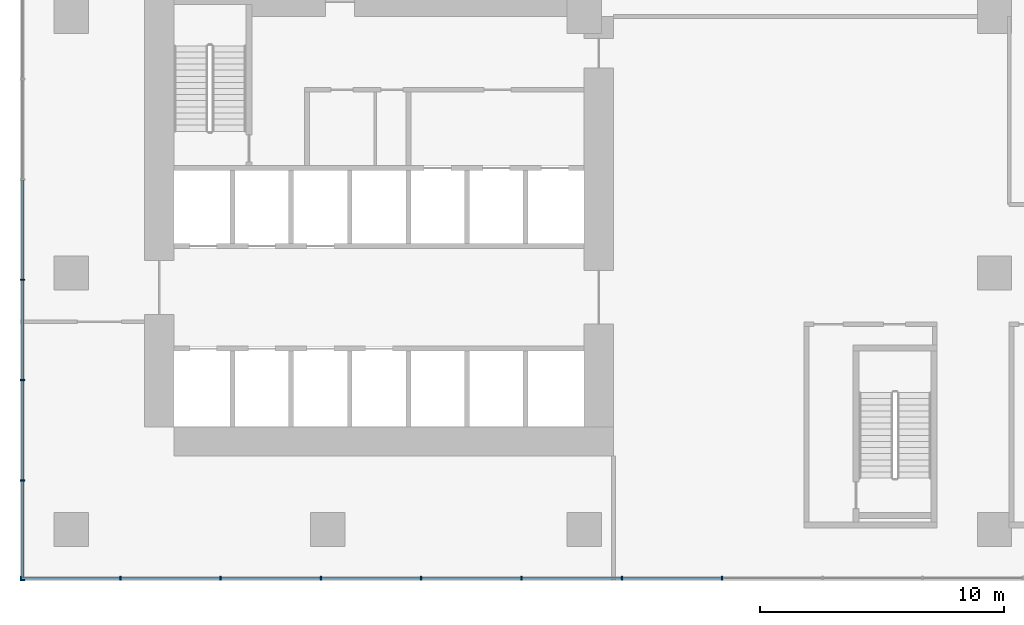
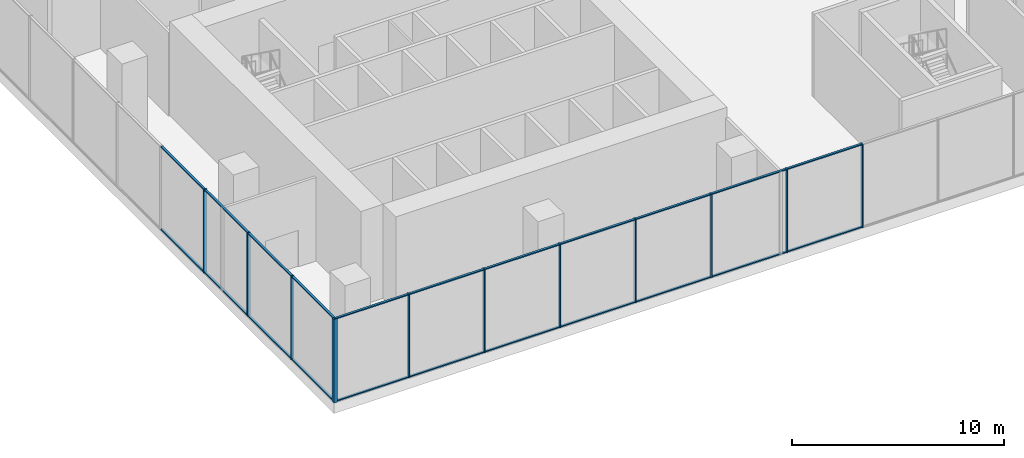
# One storey, part 2 of 23: 34 members, 2 elements without a shape of their own.
"""IFC4 building model written with IfcOpenShell, lengths in metres."""

import ifcopenshell
import ifcopenshell.guid

model = None  # the IFC model being written
_history = None  # IfcOwnerHistory: only IFC2X3 demands one
_inside = {}  # id of a spatial element -> (the spatial element, [elements in it])
_under = {}  # id of a project, library or spatial element -> (it, [spatial elements below it])
_declared = {}  # id of a project -> (the project, [libraries it declares])
_typed = {}  # id of a type object -> (the type object, [elements of that type])
_made_of = {}  # id of a material, layer set ... -> (it, [elements and type objects made of it])


def new_model(schema):
    """Start an empty IFC model of exactly this schema.

    Asked for "IFC4X3", IfcOpenShell would pick the latest addendum, in which some entities
    have other attributes; the version numbers below select the first issue.
    IFC2X3 requires an IfcOwnerHistory on every rooted entity: one is made here for all.
    """
    global model, _history
    if schema == "IFC4X3":
        model = ifcopenshell.file(schema_version=(4, 3, 0, 0))
    else:
        model = ifcopenshell.file(schema=schema)
    _inside.clear()
    _under.clear()
    _declared.clear()
    _typed.clear()
    _made_of.clear()
    _history = None
    if model.schema == "IFC2X3":
        org = make("IfcOrganization", Name="unknown")
        user = make(
            "IfcPersonAndOrganization",
            ThePerson=make("IfcPerson", FamilyName="unknown"),
            TheOrganization=org,
        )
        app = make(
            "IfcApplication",
            ApplicationDeveloper=org,
            Version="unknown",
            ApplicationFullName="unknown",
            ApplicationIdentifier="unknown",
        )
        _history = make(
            "IfcOwnerHistory",
            OwningUser=user,
            OwningApplication=app,
            ChangeAction="ADDED",
            CreationDate=0,
        )
    return model


def make(cls, **values):
    """One entity of the class cls with the attributes given. An attribute that is None is left unset."""
    return model.create_entity(
        cls, **{name: value for name, value in values.items() if value is not None}
    )


def rooted(cls, **values):
    """An entity with a GlobalId (a new one), such as an element, a storey or a relation."""
    return make(cls, GlobalId=ifcopenshell.guid.new(), OwnerHistory=_history, **values)


def si_unit(unit_type, name, prefix=None):
    """IfcSIUnit, for example si_unit("LENGTHUNIT", "METRE", prefix="MILLI")."""
    return make("IfcSIUnit", UnitType=unit_type, Prefix=prefix, Name=name)


def assignment(units):
    """IfcUnitAssignment: the units of a project."""
    return None if units is None else make("IfcUnitAssignment", Units=units)


def point(xyz):
    """IfcCartesianPoint."""
    return None if xyz is None else make("IfcCartesianPoint", Coordinates=xyz)


def direction(xyz):
    """IfcDirection."""
    return None if xyz is None else make("IfcDirection", DirectionRatios=xyz)


def frame(location, z_axis=None, x_axis=None):
    """IfcAxis2Placement3D, a coordinate frame: its origin and axes. An axis left out is left unset."""
    return make(
        "IfcAxis2Placement3D",
        Location=point(location),
        Axis=direction(z_axis),
        RefDirection=direction(x_axis),
    )


def frame_2d(location, x_axis=None):
    """IfcAxis2Placement2D, a coordinate frame in the plane: its origin and x axis."""
    return make(
        "IfcAxis2Placement2D", Location=point(location), RefDirection=direction(x_axis)
    )


def origin():
    """The frame at (0, 0, 0) with its axes left unset."""
    return frame((0.0, 0.0, 0.0))


def origin_2d():
    """The frame at (0, 0) in the plane with its x axis left unset."""
    return frame_2d((0.0, 0.0))


def place(relative_to, where):
    """IfcLocalPlacement: puts the frame where relative to a parent placement (None: the world)."""
    return make(
        "IfcLocalPlacement", PlacementRelTo=relative_to, RelativePlacement=where
    )


def context(
    kind, dimensions, precision=None, world=None, true_north=None, identifier=None
):
    """IfcGeometricRepresentationContext, for example the 3D "Model" context."""
    return make(
        "IfcGeometricRepresentationContext",
        ContextIdentifier=identifier,
        ContextType=kind,
        CoordinateSpaceDimension=dimensions,
        Precision=precision,
        WorldCoordinateSystem=world,
        TrueNorth=true_north,
    )


def subcontext(parent, identifier, kind, view, scale=None):
    """IfcGeometricRepresentationSubContext, for example "Body" below "Model"."""
    return make(
        "IfcGeometricRepresentationSubContext",
        ContextIdentifier=identifier,
        ContextType=kind,
        ParentContext=parent,
        TargetScale=scale,
        TargetView=view,
    )


def project(units=None, contexts=None):
    """IfcProject with its units and contexts."""
    return rooted(
        "IfcProject",
        Name="project",
        RepresentationContexts=contexts,
        UnitsInContext=assignment(units),
    )


def spatial(cls, under=None, at=None, **own):
    """A site, building, storey or space (cls), placed at a placement, below another one or the project."""
    s = rooted(cls, ObjectPlacement=at, **own)
    if under is not None:
        _under.setdefault(under.id(), (under, []))[1].append(s)
    return s


def profile(cls, at=None, kind="AREA", **sizes):
    """A parametric profile (cls). Its sizes go by their IFC names, for example OverallWidth=200.0."""
    return make(cls, ProfileType=kind, Position=at, **sizes)


def rectangle(**sizes):
    """IfcRectangleProfileDef."""
    return profile("IfcRectangleProfileDef", **sizes)


def extrude(swept, where, along, depth):
    """IfcExtrudedAreaSolid: the profile swept, set in the frame where, extruded along a direction by depth."""
    return make(
        "IfcExtrudedAreaSolid",
        SweptArea=swept,
        Position=where,
        ExtrudedDirection=direction(along),
        Depth=depth,
    )


def shape(context_of_items, identifier, shape_type, items):
    """IfcShapeRepresentation: the items that make up one representation, for example the "Body"."""
    return make(
        "IfcShapeRepresentation",
        ContextOfItems=context_of_items,
        RepresentationIdentifier=identifier,
        RepresentationType=shape_type,
        Items=items,
    )


def source(mapping_origin, context_of_items, identifier, shape_type, items):
    """IfcRepresentationMap: a shape defined once, which mapped items show again and again."""
    return make(
        "IfcRepresentationMap",
        MappingOrigin=mapping_origin,
        MappedRepresentation=shape(context_of_items, identifier, shape_type, items),
    )


def transform(
    local_origin,
    x_axis=None,
    y_axis=None,
    z_axis=None,
    scale=None,
    scale2=None,
    scale3=None,
    uniform=True,
):
    """IfcCartesianTransformationOperator3D, or its non-uniform kind. x_axis, y_axis, z_axis: its Axis1, 2, 3."""
    if uniform:
        return make(
            "IfcCartesianTransformationOperator3D",
            Axis1=direction(x_axis),
            Axis2=direction(y_axis),
            LocalOrigin=point(local_origin),
            Scale=scale,
            Axis3=direction(z_axis),
        )
    return make(
        "IfcCartesianTransformationOperator3DnonUniform",
        Axis1=direction(x_axis),
        Axis2=direction(y_axis),
        LocalOrigin=point(local_origin),
        Scale=scale,
        Axis3=direction(z_axis),
        Scale2=scale2,
        Scale3=scale3,
    )


def mapped(mapping_source, mapping_target):
    """IfcMappedItem: shows the shape of a source again, moved by a transform."""
    return make(
        "IfcMappedItem", MappingSource=mapping_source, MappingTarget=mapping_target
    )


def material(Name=None, Category=None):
    """IfcMaterial."""
    return make("IfcMaterial", Name=Name, Category=Category)


def layer(
    of_material, thickness, ventilated=None, Name=None, Category=None, Priority=None
):
    """IfcMaterialLayer: one layer of a wall or slab, of a material (None: an air gap)."""
    return make(
        "IfcMaterialLayer",
        Material=of_material,
        LayerThickness=thickness,
        IsVentilated=ventilated,
        Name=Name,
        Category=Category,
        Priority=Priority,
    )


def layer_set(layers, Name=None):
    """IfcMaterialLayerSet."""
    return make("IfcMaterialLayerSet", MaterialLayers=layers, LayerSetName=Name)


def material_profile(
    of_material, cross_section, Name=None, Category=None, Priority=None
):
    """IfcMaterialProfile: a cross section and its material."""
    return make(
        "IfcMaterialProfile",
        Name=Name,
        Material=of_material,
        Profile=cross_section,
        Priority=Priority,
        Category=Category,
    )


def profile_set(profiles, Name=None, composite=None):
    """IfcMaterialProfileSet."""
    return make(
        "IfcMaterialProfileSet",
        Name=Name,
        MaterialProfiles=profiles,
        CompositeProfile=composite,
    )


def made_of(thing, what):
    """Note that an element or type object is made of a material, layer set ...; save() writes the relation."""
    if what is not None:
        _made_of.setdefault(what.id(), (what, []))[1].append(thing)
    return thing


def type_object(cls, material=None, **own):
    """A type object (cls), such as IfcWallType, which elements share."""
    return made_of(rooted(cls, **own), material)


def element(
    cls,
    number,
    at=None,
    inside=None,
    cuts=None,
    type_object=None,
    material=None,
    context=None,
    identifier="Body",
    shape_type=None,
    held_by="IfcProductDefinitionShape",
    body=None,
    shapes=None,
    **own,
):
    """One element of the class cls, such as IfcWall. Its Tag is "e" and its number.

    at: its placement. inside: the storey or other place that contains it. cuts: it is an
    opening in that element (IfcRelVoidsElement). A single representation is given by context,
    identifier, shape_type and body (its items); several are given by shapes. held_by: the class
    of the entity that holds the representations. save() writes the other relations.
    """
    e = rooted(cls, Tag="e%d" % number, ObjectPlacement=at, **own)
    if body is not None:
        shapes = [shape(context, identifier, shape_type, body)]
    if shapes is not None:
        e.Representation = make(held_by, Representations=shapes)
    if inside is not None:
        _inside.setdefault(inside.id(), (inside, []))[1].append(e)
    if cuts is not None:
        rooted(
            "IfcRelVoidsElement", RelatingBuildingElement=cuts, RelatedOpeningElement=e
        )
    if type_object is not None:
        _typed.setdefault(type_object.id(), (type_object, []))[1].append(e)
    return made_of(e, material)


def aggregate(whole, parts):
    """IfcRelAggregates: a whole, such as a stair, and the parts it consists of."""
    return rooted("IfcRelAggregates", RelatingObject=whole, RelatedObjects=parts)


def save(model, path):
    """Write the relations noted so far, then the file.

    IfcRelAggregates (storeys below a building ...), IfcRelContainedInSpatialStructure (elements
    in a storey), IfcRelDefinesByType, IfcRelAssociatesMaterial and IfcRelDeclares: one each for
    every whole, place, type object, material and project.
    """
    for whole, parts in _under.values():
        aggregate(whole, parts)
    for where, things in _inside.values():
        rooted(
            "IfcRelContainedInSpatialStructure",
            RelatedElements=things,
            RelatingStructure=where,
        )
    for kind, things in _typed.values():
        rooted("IfcRelDefinesByType", RelatedObjects=things, RelatingType=kind)
    for what, things in _made_of.values():
        rooted("IfcRelAssociatesMaterial", RelatedObjects=things, RelatingMaterial=what)
    for by, libraries in _declared.values():
        rooted("IfcRelDeclares", RelatingContext=by, RelatedDefinitions=libraries)
    model.write(path)


model = new_model("IFC4")

# Units and contexts
model_context = context("Model", 3, precision=1e-05, world=origin(), true_north=direction((0.0, 1.0)))
body_context = subcontext(model_context, "Body", "Model", "MODEL_VIEW")
ifc_project = project(units=[si_unit("LENGTHUNIT", "METRE"), si_unit("AREAUNIT", "SQUARE_METRE"), si_unit("VOLUMEUNIT", "CUBIC_METRE"), si_unit("PLANEANGLEUNIT", "RADIAN"), si_unit("MASSUNIT", "GRAM", prefix="KILO")], contexts=[model_context])

# Site, building, storey
site_placement = place(None, origin())
site = spatial("IfcSite", under=ifc_project, at=site_placement, CompositionType="ELEMENT")
building_placement = place(site_placement, origin())
building = spatial("IfcBuilding", under=site, at=building_placement, Name="Aurelian Terraces", CompositionType="ELEMENT")
storey_placement = place(building_placement, frame((0.0, 0.0, 18.3)))
storey = spatial("IfcBuildingStorey", under=building, at=storey_placement, Name="L03", CompositionType="ELEMENT", Elevation=18.3)

# Curtain wall, members
ifc_material_1 = material(Name="Anodised aluminium and clear glazing", Category="aluminium")
ifc_layer = layer(ifc_material_1, 0.2)
ifc_layer_set = layer_set([ifc_layer], Name="Winter garden glazing curtain wall")
curtain_wall_type = type_object("IfcCurtainWallType", Name="Winter garden glazing curtain wall", PredefinedType="NOTDEFINED", material=ifc_layer_set)
curtain_wall_1_placement = place(storey_placement, origin())
curtain_wall_1 = element("IfcCurtainWall", 1, at=curtain_wall_1_placement, inside=storey, type_object=curtain_wall_type, Name="Winter garden glazing L03 F01.1", PredefinedType="NOTDEFINED")
ifc_material_2 = material(Name="Anodised aluminium", Category="aluminium")
ifc_material_profile_1 = material_profile(ifc_material_2, rectangle(XDim=0.18, YDim=0.06, at=origin_2d()))
ifc_profile_set_1 = profile_set([ifc_material_profile_1], Name="Anodised aluminium")
member_type_1 = type_object("IfcMemberType", Name="Winter garden glazing mullion", PredefinedType="MULLION", material=ifc_profile_set_1)
shared_shape_1 = source(origin(), body_context, "Body", "SweptSolid", [
    extrude(rectangle(XDim=0.18, YDim=0.06, at=origin_2d()), origin(), (0.0, 0.0, 1.0), 4.8),
])
member_1_placement = place(storey_placement, frame((-2.07, -2.0, 0.0), z_axis=(0.0, 0.0, 1.0), x_axis=(0.0, 1.0, 0.0)))
member_1 = element("IfcMember", 2, at=member_1_placement, type_object=member_type_1, Name="CW6 mullion 1", PredefinedType="MULLION", context=body_context, shape_type="MappedRepresentation", body=[
    mapped(shared_shape_1, transform((0.0, 0.0, 0.0), scale=1.0)),
])
member_2_placement = place(storey_placement, frame((2.0067, -2.0, 0.0), z_axis=(0.0, 0.0, 1.0), x_axis=(0.0, 1.0, 0.0)))
member_2 = element("IfcMember", 3, at=member_2_placement, type_object=member_type_1, Name="CW6 mullion 2", PredefinedType="MULLION", context=body_context, shape_type="MappedRepresentation", body=[
    mapped(shared_shape_1, transform((0.0, 0.0, 0.0), scale=1.0)),
])
member_3_placement = place(storey_placement, frame((6.1133, -2.0, 0.0), z_axis=(0.0, 0.0, 1.0), x_axis=(0.0, 1.0, 0.0)))
member_3 = element("IfcMember", 4, at=member_3_placement, type_object=member_type_1, Name="CW6 mullion 3", PredefinedType="MULLION", context=body_context, shape_type="MappedRepresentation", body=[
    mapped(shared_shape_1, transform((0.0, 0.0, 0.0), scale=1.0)),
])
member_4_placement = place(storey_placement, frame((10.22, -2.0, 0.0), z_axis=(0.0, 0.0, 1.0), x_axis=(0.0, 1.0, 0.0)))
member_4 = element("IfcMember", 5, at=member_4_placement, type_object=member_type_1, Name="CW6 mullion 4", PredefinedType="MULLION", context=body_context, shape_type="MappedRepresentation", body=[
    mapped(shared_shape_1, transform((0.0, 0.0, 0.0), scale=1.0)),
])
member_5_placement = place(storey_placement, frame((14.3267, -2.0, 0.0), z_axis=(0.0, 0.0, 1.0), x_axis=(0.0, 1.0, 0.0)))
member_5 = element("IfcMember", 6, at=member_5_placement, type_object=member_type_1, Name="CW6 mullion 5", PredefinedType="MULLION", context=body_context, shape_type="MappedRepresentation", body=[
    mapped(shared_shape_1, transform((0.0, 0.0, 0.0), scale=1.0)),
])
member_6_placement = place(storey_placement, frame((18.4333, -2.0, 0.0), z_axis=(0.0, 0.0, 1.0), x_axis=(0.0, 1.0, 0.0)))
member_6 = element("IfcMember", 7, at=member_6_placement, type_object=member_type_1, Name="CW6 mullion 6", PredefinedType="MULLION", context=body_context, shape_type="MappedRepresentation", body=[
    mapped(shared_shape_1, transform((0.0, 0.0, 0.0), scale=1.0)),
])
member_7_placement = place(storey_placement, frame((22.54, -2.0, 0.0), z_axis=(0.0, 0.0, 1.0), x_axis=(0.0, 1.0, 0.0)))
member_7 = element("IfcMember", 8, at=member_7_placement, type_object=member_type_1, Name="CW6 mullion 7", PredefinedType="MULLION", context=body_context, shape_type="MappedRepresentation", body=[
    mapped(shared_shape_1, transform((0.0, 0.0, 0.0), scale=1.0)),
])
member_8_placement = place(storey_placement, frame((26.6467, -2.0, 0.0), z_axis=(0.0, 0.0, 1.0), x_axis=(0.0, 1.0, 0.0)))
member_8 = element("IfcMember", 9, at=member_8_placement, type_object=member_type_1, Name="CW6 mullion 8", PredefinedType="MULLION", context=body_context, shape_type="MappedRepresentation", body=[
    mapped(shared_shape_1, transform((0.0, 0.0, 0.0), scale=1.0)),
])

curtain_wall_2_placement = place(storey_placement, origin())
curtain_wall_2 = element("IfcCurtainWall", 10, at=curtain_wall_2_placement, inside=storey, type_object=curtain_wall_type, Name="Winter garden glazing L03 F06.1", PredefinedType="NOTDEFINED")
member_9_placement = place(storey_placement, frame((-2.0, 10.22, 0.0), z_axis=(0.0, 0.0, 1.0), x_axis=(1.0, 0.0, 0.0)))
member_9 = element("IfcMember", 11, at=member_9_placement, type_object=member_type_1, Name="CW6 mullion 16", PredefinedType="MULLION", context=body_context, shape_type="MappedRepresentation", body=[
    mapped(shared_shape_1, transform((0.0, 0.0, 0.0), scale=1.0)),
])
member_10_placement = place(storey_placement, frame((-2.0, 6.1133, 0.0), z_axis=(0.0, 0.0, 1.0), x_axis=(1.0, 0.0, 0.0)))
member_10 = element("IfcMember", 12, at=member_10_placement, type_object=member_type_1, Name="CW6 mullion 17", PredefinedType="MULLION", context=body_context, shape_type="MappedRepresentation", body=[
    mapped(shared_shape_1, transform((0.0, 0.0, 0.0), scale=1.0)),
])
member_11_placement = place(storey_placement, frame((-2.0, 2.0067, 0.0), z_axis=(0.0, 0.0, 1.0), x_axis=(1.0, 0.0, 0.0)))
member_11 = element("IfcMember", 13, at=member_11_placement, type_object=member_type_1, Name="CW6 mullion 18", PredefinedType="MULLION", context=body_context, shape_type="MappedRepresentation", body=[
    mapped(shared_shape_1, transform((0.0, 0.0, 0.0), scale=1.0)),
])
member_12_placement = place(storey_placement, frame((-2.0, -2.07, 0.0), z_axis=(0.0, 0.0, 1.0), x_axis=(1.0, 0.0, 0.0)))
member_12 = element("IfcMember", 14, at=member_12_placement, type_object=member_type_1, Name="CW6 mullion 19", PredefinedType="MULLION", context=body_context, shape_type="MappedRepresentation", body=[
    mapped(shared_shape_1, transform((0.0, 0.0, 0.0), scale=1.0)),
])

# Member
ifc_material_profile_2 = material_profile(ifc_material_2, rectangle(XDim=0.12, YDim=0.06, at=origin_2d()))
ifc_profile_set_2 = profile_set([ifc_material_profile_2], Name="Anodised aluminium")
member_type_2 = type_object("IfcMemberType", Name="Winter garden glazing transom", PredefinedType="USERDEFINED", material=ifc_profile_set_2)
shared_shape_2 = source(origin(), body_context, "Body", "SweptSolid", [
    extrude(rectangle(XDim=0.12, YDim=0.06, at=origin_2d()), origin(), (0.0, 0.0, 1.0), 4.0167),
])
member_13_placement = place(storey_placement, frame((-2.04, -2.0, 0.03), z_axis=(1.0, 0.0, 0.0), x_axis=(0.0, 1.0, 0.0)))
member_13 = element("IfcMember", 15, at=member_13_placement, type_object=member_type_2, Name="CW6 transom 1.1", ObjectType="TRANSOM", PredefinedType="USERDEFINED", context=body_context, shape_type="MappedRepresentation", body=[
    mapped(shared_shape_2, transform((0.0, 0.0, 0.0), scale=1.0)),
])

member_14_placement = place(storey_placement, frame((-2.04, -2.0, 4.77), z_axis=(1.0, 0.0, 0.0), x_axis=(0.0, 1.0, 0.0)))
member_14 = element("IfcMember", 16, at=member_14_placement, type_object=member_type_2, Name="CW6 transom 1.2", ObjectType="TRANSOM", PredefinedType="USERDEFINED", context=body_context, shape_type="MappedRepresentation", body=[
    mapped(shared_shape_2, transform((0.0, 0.0, 0.0), scale=1.0)),
])

member_15_placement = place(storey_placement, frame((-2.0, 1.9767, 0.03), z_axis=(0.0, -1.0, 0.0), x_axis=(1.0, 0.0, 0.0)))
member_15 = element("IfcMember", 17, at=member_15_placement, type_object=member_type_2, Name="CW6 transom 18.1", ObjectType="TRANSOM", PredefinedType="USERDEFINED", context=body_context, shape_type="MappedRepresentation", body=[
    mapped(shared_shape_2, transform((0.0, 0.0, 0.0), scale=1.0)),
])

member_16_placement = place(storey_placement, frame((-2.0, 1.9767, 4.77), z_axis=(0.0, -1.0, 0.0), x_axis=(1.0, 0.0, 0.0)))
member_16 = element("IfcMember", 18, at=member_16_placement, type_object=member_type_2, Name="CW6 transom 18.2", ObjectType="TRANSOM", PredefinedType="USERDEFINED", context=body_context, shape_type="MappedRepresentation", body=[
    mapped(shared_shape_2, transform((0.0, 0.0, 0.0), scale=1.0)),
])

shared_shape_3 = source(origin(), body_context, "Body", "SweptSolid", [
    extrude(rectangle(XDim=0.12, YDim=0.06, at=origin_2d()), origin(), (0.0, 0.0, 1.0), 4.0466),
])
member_17_placement = place(storey_placement, frame((2.0367, -2.0, 0.03), z_axis=(1.0, 0.0, 0.0), x_axis=(0.0, 1.0, 0.0)))
member_17 = element("IfcMember", 19, at=member_17_placement, type_object=member_type_2, Name="CW6 transom 2.1", ObjectType="TRANSOM", PredefinedType="USERDEFINED", context=body_context, shape_type="MappedRepresentation", body=[
    mapped(shared_shape_3, transform((0.0, 0.0, 0.0), scale=1.0)),
])

member_18_placement = place(storey_placement, frame((2.0367, -2.0, 4.77), z_axis=(1.0, 0.0, 0.0), x_axis=(0.0, 1.0, 0.0)))
member_18 = element("IfcMember", 20, at=member_18_placement, type_object=member_type_2, Name="CW6 transom 2.2", ObjectType="TRANSOM", PredefinedType="USERDEFINED", context=body_context, shape_type="MappedRepresentation", body=[
    mapped(shared_shape_3, transform((0.0, 0.0, 0.0), scale=1.0)),
])

member_19_placement = place(storey_placement, frame((14.3567, -2.0, 0.03), z_axis=(1.0, 0.0, 0.0), x_axis=(0.0, 1.0, 0.0)))
member_19 = element("IfcMember", 21, at=member_19_placement, type_object=member_type_2, Name="CW6 transom 5.1", ObjectType="TRANSOM", PredefinedType="USERDEFINED", context=body_context, shape_type="MappedRepresentation", body=[
    mapped(shared_shape_3, transform((0.0, 0.0, 0.0), scale=1.0)),
])

member_20_placement = place(storey_placement, frame((14.3567, -2.0, 4.77), z_axis=(1.0, 0.0, 0.0), x_axis=(0.0, 1.0, 0.0)))
member_20 = element("IfcMember", 22, at=member_20_placement, type_object=member_type_2, Name="CW6 transom 5.2", ObjectType="TRANSOM", PredefinedType="USERDEFINED", context=body_context, shape_type="MappedRepresentation", body=[
    mapped(shared_shape_3, transform((0.0, 0.0, 0.0), scale=1.0)),
])

member_21_placement = place(storey_placement, frame((-2.0, 6.0833, 0.03), z_axis=(0.0, -1.0, 0.0), x_axis=(1.0, 0.0, 0.0)))
member_21 = element("IfcMember", 23, at=member_21_placement, type_object=member_type_2, Name="CW6 transom 17.1", ObjectType="TRANSOM", PredefinedType="USERDEFINED", context=body_context, shape_type="MappedRepresentation", body=[
    mapped(shared_shape_3, transform((0.0, 0.0, 0.0), scale=1.0)),
])

member_22_placement = place(storey_placement, frame((-2.0, 6.0833, 4.77), z_axis=(0.0, -1.0, 0.0), x_axis=(1.0, 0.0, 0.0)))
member_22 = element("IfcMember", 24, at=member_22_placement, type_object=member_type_2, Name="CW6 transom 17.2", ObjectType="TRANSOM", PredefinedType="USERDEFINED", context=body_context, shape_type="MappedRepresentation", body=[
    mapped(shared_shape_3, transform((0.0, 0.0, 0.0), scale=1.0)),
])

shared_shape_4 = source(origin(), body_context, "Body", "SweptSolid", [
    extrude(rectangle(XDim=0.12, YDim=0.06, at=origin_2d()), origin(), (0.0, 0.0, 1.0), 4.0467),
])
member_23_placement = place(storey_placement, frame((6.1433, -2.0, 0.03), z_axis=(1.0, 0.0, 0.0), x_axis=(0.0, 1.0, 0.0)))
member_23 = element("IfcMember", 25, at=member_23_placement, type_object=member_type_2, Name="CW6 transom 3.1", ObjectType="TRANSOM", PredefinedType="USERDEFINED", context=body_context, shape_type="MappedRepresentation", body=[
    mapped(shared_shape_4, transform((0.0, 0.0, 0.0), scale=1.0)),
])

member_24_placement = place(storey_placement, frame((6.1433, -2.0, 4.77), z_axis=(1.0, 0.0, 0.0), x_axis=(0.0, 1.0, 0.0)))
member_24 = element("IfcMember", 26, at=member_24_placement, type_object=member_type_2, Name="CW6 transom 3.2", ObjectType="TRANSOM", PredefinedType="USERDEFINED", context=body_context, shape_type="MappedRepresentation", body=[
    mapped(shared_shape_4, transform((0.0, 0.0, 0.0), scale=1.0)),
])

member_25_placement = place(storey_placement, frame((10.25, -2.0, 0.03), z_axis=(1.0, 0.0, 0.0), x_axis=(0.0, 1.0, 0.0)))
member_25 = element("IfcMember", 27, at=member_25_placement, type_object=member_type_2, Name="CW6 transom 4.1", ObjectType="TRANSOM", PredefinedType="USERDEFINED", context=body_context, shape_type="MappedRepresentation", body=[
    mapped(shared_shape_4, transform((0.0, 0.0, 0.0), scale=1.0)),
])

member_26_placement = place(storey_placement, frame((10.25, -2.0, 4.77), z_axis=(1.0, 0.0, 0.0), x_axis=(0.0, 1.0, 0.0)))
member_26 = element("IfcMember", 28, at=member_26_placement, type_object=member_type_2, Name="CW6 transom 4.2", ObjectType="TRANSOM", PredefinedType="USERDEFINED", context=body_context, shape_type="MappedRepresentation", body=[
    mapped(shared_shape_4, transform((0.0, 0.0, 0.0), scale=1.0)),
])

member_27_placement = place(storey_placement, frame((18.4633, -2.0, 0.03), z_axis=(1.0, 0.0, 0.0), x_axis=(0.0, 1.0, 0.0)))
member_27 = element("IfcMember", 29, at=member_27_placement, type_object=member_type_2, Name="CW6 transom 6.1", ObjectType="TRANSOM", PredefinedType="USERDEFINED", context=body_context, shape_type="MappedRepresentation", body=[
    mapped(shared_shape_4, transform((0.0, 0.0, 0.0), scale=1.0)),
])

member_28_placement = place(storey_placement, frame((18.4633, -2.0, 4.77), z_axis=(1.0, 0.0, 0.0), x_axis=(0.0, 1.0, 0.0)))
member_28 = element("IfcMember", 30, at=member_28_placement, type_object=member_type_2, Name="CW6 transom 6.2", ObjectType="TRANSOM", PredefinedType="USERDEFINED", context=body_context, shape_type="MappedRepresentation", body=[
    mapped(shared_shape_4, transform((0.0, 0.0, 0.0), scale=1.0)),
])

member_29_placement = place(storey_placement, frame((22.57, -2.0, 0.03), z_axis=(1.0, 0.0, 0.0), x_axis=(0.0, 1.0, 0.0)))
member_29 = element("IfcMember", 31, at=member_29_placement, type_object=member_type_2, Name="CW6 transom 7.1", ObjectType="TRANSOM", PredefinedType="USERDEFINED", context=body_context, shape_type="MappedRepresentation", body=[
    mapped(shared_shape_4, transform((0.0, 0.0, 0.0), scale=1.0)),
])

member_30_placement = place(storey_placement, frame((22.57, -2.0, 4.77), z_axis=(1.0, 0.0, 0.0), x_axis=(0.0, 1.0, 0.0)))
member_30 = element("IfcMember", 32, at=member_30_placement, type_object=member_type_2, Name="CW6 transom 7.2", ObjectType="TRANSOM", PredefinedType="USERDEFINED", context=body_context, shape_type="MappedRepresentation", body=[
    mapped(shared_shape_4, transform((0.0, 0.0, 0.0), scale=1.0)),
])

aggregate(curtain_wall_1, [member_1, member_2, member_3, member_4, member_5, member_6, member_7, member_8, member_13, member_14, member_17, member_18, member_23, member_24, member_25, member_26, member_19, member_20, member_27, member_28, member_29, member_30])

member_31_placement = place(storey_placement, frame((-2.0, 14.2967, 0.03), z_axis=(0.0, -1.0, 0.0), x_axis=(1.0, 0.0, 0.0)))
member_31 = element("IfcMember", 33, at=member_31_placement, type_object=member_type_2, Name="CW6 transom 15.1", ObjectType="TRANSOM", PredefinedType="USERDEFINED", context=body_context, shape_type="MappedRepresentation", body=[
    mapped(shared_shape_4, transform((0.0, 0.0, 0.0), scale=1.0)),
])

member_32_placement = place(storey_placement, frame((-2.0, 14.2967, 4.77), z_axis=(0.0, -1.0, 0.0), x_axis=(1.0, 0.0, 0.0)))
member_32 = element("IfcMember", 34, at=member_32_placement, type_object=member_type_2, Name="CW6 transom 15.2", ObjectType="TRANSOM", PredefinedType="USERDEFINED", context=body_context, shape_type="MappedRepresentation", body=[
    mapped(shared_shape_4, transform((0.0, 0.0, 0.0), scale=1.0)),
])

member_33_placement = place(storey_placement, frame((-2.0, 10.19, 0.03), z_axis=(0.0, -1.0, 0.0), x_axis=(1.0, 0.0, 0.0)))
member_33 = element("IfcMember", 35, at=member_33_placement, type_object=member_type_2, Name="CW6 transom 16.1", ObjectType="TRANSOM", PredefinedType="USERDEFINED", context=body_context, shape_type="MappedRepresentation", body=[
    mapped(shared_shape_4, transform((0.0, 0.0, 0.0), scale=1.0)),
])

member_34_placement = place(storey_placement, frame((-2.0, 10.19, 4.77), z_axis=(0.0, -1.0, 0.0), x_axis=(1.0, 0.0, 0.0)))
member_34 = element("IfcMember", 36, at=member_34_placement, type_object=member_type_2, Name="CW6 transom 16.2", ObjectType="TRANSOM", PredefinedType="USERDEFINED", context=body_context, shape_type="MappedRepresentation", body=[
    mapped(shared_shape_4, transform((0.0, 0.0, 0.0), scale=1.0)),
])

aggregate(curtain_wall_2, [member_9, member_10, member_11, member_12, member_31, member_32, member_33, member_34, member_21, member_22, member_15, member_16])

save(model, "model.ifc")
